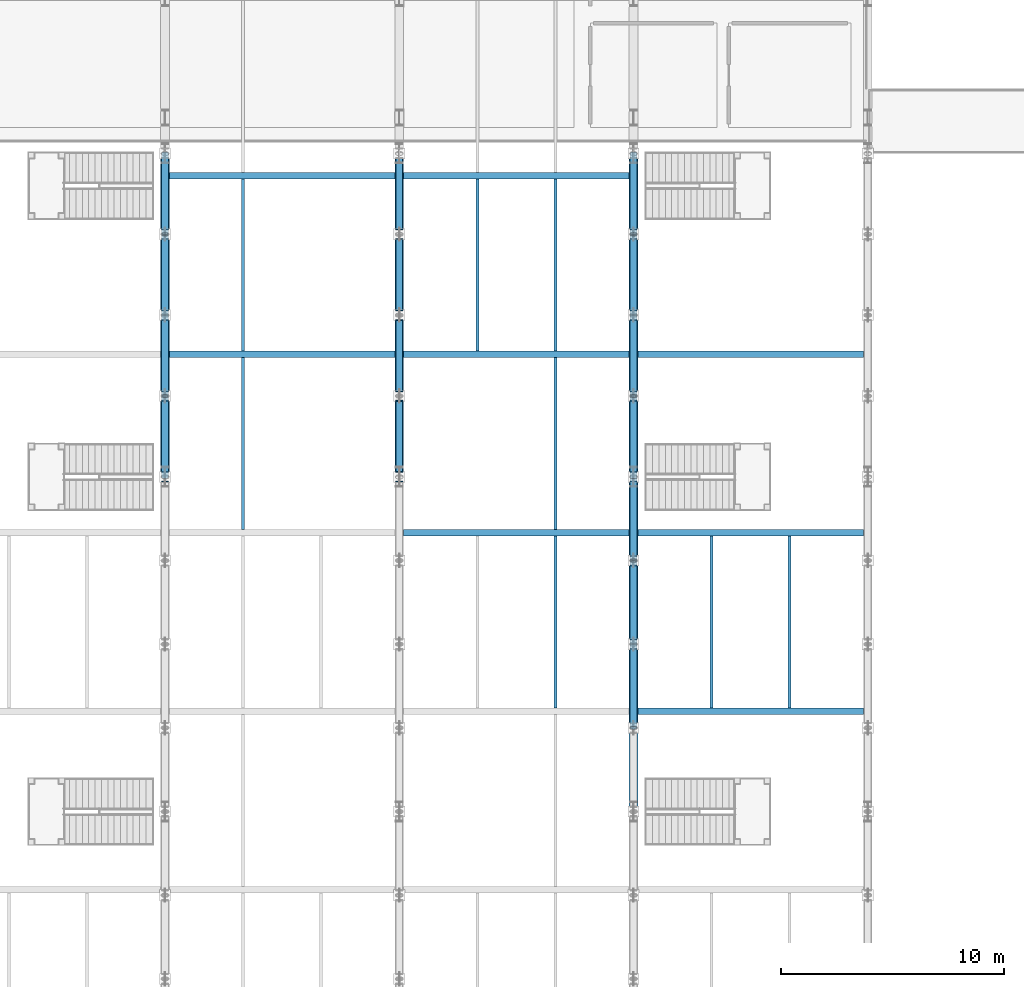
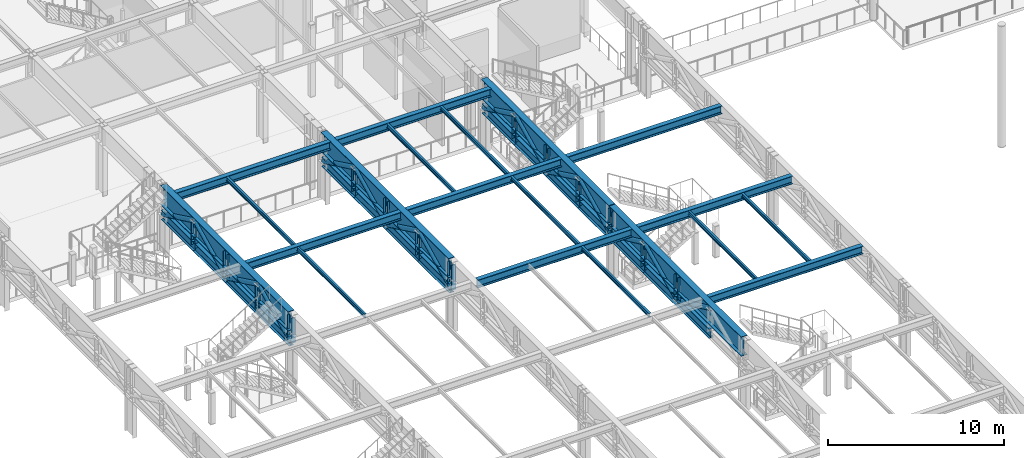
# One storey, part 39 of 143: 44 members, 20 beams.
"""IFC4 building model written with IfcOpenShell, lengths in metres."""

from ifc_helpers import new_model, si_unit, direction, frame, origin, origin_2d, place, context, subcontext, project, spatial, hollow_circle, i_section, extrude, material, material_profile, profile_set, type_object, element, save


model = new_model("IFC4")

# Units and contexts
model_context = context("Model", 3, precision=1e-05, world=origin(), true_north=direction((0.0, 1.0)))
body_context = subcontext(model_context, "Body", "Model", "MODEL_VIEW")
ifc_project = project(units=[si_unit("LENGTHUNIT", "METRE"), si_unit("AREAUNIT", "SQUARE_METRE"), si_unit("VOLUMEUNIT", "CUBIC_METRE"), si_unit("PLANEANGLEUNIT", "RADIAN"), si_unit("MASSUNIT", "GRAM", prefix="KILO")], contexts=[model_context])

# Site, building, storey
site_placement = place(None, origin())
site = spatial("IfcSite", under=ifc_project, at=site_placement, CompositionType="ELEMENT")
building_placement = place(site_placement, origin())
building = spatial("IfcBuilding", under=site, at=building_placement, Name="Marlcrest Central Station", CompositionType="ELEMENT")
storey_placement = place(building_placement, frame((0.0, 0.0, 4.800048828125)))
storey = spatial("IfcBuildingStorey", under=building, at=storey_placement, Name="L01", CompositionType="ELEMENT", Elevation=4.800048828125)

# Beams
ifc_material = material(Name="Steel S355", Category="steel")
ifc_material_profile_1 = material_profile(ifc_material, i_section(OverallWidth=0.300048828125, OverallDepth=0.550048828125, WebThickness=0.014892578125, FlangeThickness=0.029052734375, FilletRadius=0.027099609375, at=origin_2d()), Name="HEB 550")
ifc_profile_set_1 = profile_set([ifc_material_profile_1], Name="Steel S355")
beam_type_1 = type_object("IfcBeamType", Name="BM-11", PredefinedType="BEAM", material=ifc_profile_set_1)
for number, where, z_axis, x_axis, name in (
    (1, (118.695068359375, 70.5, 4.5400390625), (1.0, 0.0, 0.0), (0.0, 1.0, 0.0), "bm-BM-11-L01-01200"),
    (2, (108.195068359375, 78.5, 4.5400390625), (1.0, 0.0, 0.0), (0.0, 1.0, 0.0), "bm-BM-11-L01-01206"),
    (3, (118.695068359375, 78.5, 4.5400390625), (1.0, 0.0, 0.0), (0.0, 1.0, 0.0), "bm-BM-11-L01-01207"),
    (4, (97.695068359375, 86.5, 4.5400390625), (1.0, 0.0, 0.0), (0.0, 1.0, 0.0), "bm-BM-11-L01-01209"),
    (5, (108.195068359375, 86.5, 4.5400390625), (1.0, 0.0, 0.0), (0.0, 1.0, 0.0), "bm-BM-11-L01-01210"),
    (6, (118.695068359375, 86.5, 4.5400390625), (1.0, 0.0, 0.0), (0.0, 1.0, 0.0), "bm-BM-11-L01-01211"),
    (7, (97.695068359375, 94.5, 4.5400390625), (1.0, 0.0, 0.0), (0.0, 1.0, 0.0), "bm-BM-11-L01-01215"),
    (8, (108.195068359375, 94.5, 4.5400390625), (1.0, 0.0, 0.0), (0.0, 1.0, 0.0), "bm-BM-11-L01-01216"),
):
    element("IfcBeam", number, at=place(storey_placement, frame(where, z_axis=z_axis, x_axis=x_axis)), inside=storey, type_object=beam_type_1, Name=name, PredefinedType="BEAM", context=body_context, shape_type="SweptSolid", body=[
        extrude(i_section(OverallWidth=0.300048828125, OverallDepth=0.550048828125, WebThickness=0.014892578125, FlangeThickness=0.029052734375, FilletRadius=0.027099609375, at=origin_2d()), origin(), (0.0, 0.0, 1.0), 10.10986328125),
    ])
ifc_material_profile_2 = material_profile(ifc_material, i_section(OverallWidth=0.135009765625, OverallDepth=0.27001953125, WebThickness=0.006591796875, FlangeThickness=0.01025390625, FilletRadius=0.014892578125, at=origin_2d()), Name="IPE 270")
ifc_profile_set_2 = profile_set([ifc_material_profile_2], Name="Steel S355")
beam_type_2 = type_object("IfcBeamType", Name="JS-04", PredefinedType="JOIST", material=ifc_profile_set_2)
for number, where, z_axis, x_axis, name in (
    (9, (115.0, 70.64794921875, 4.679931640625), (0.0, 1.0, 0.0), (-1.0, 0.0, 0.0), "bm-JS-04-L01-01286"),
    (10, (122.0, 70.64794921875, 4.679931640625), (0.0, 1.0, 0.0), (-1.0, 0.0, 0.0), "bm-JS-04-L01-01287"),
    (11, (125.5, 70.64794921875, 4.679931640625), (0.0, 1.0, 0.0), (-1.0, 0.0, 0.0), "bm-JS-04-L01-01288"),
    (12, (101.0, 78.64794921875, 4.679931640625), (0.0, 1.0, 0.0), (-1.0, 0.0, 0.0), "bm-JS-04-L01-01291"),
    (13, (115.0, 78.64794921875, 4.679931640625), (0.0, 1.0, 0.0), (-1.0, 0.0, 0.0), "bm-JS-04-L01-01292"),
    (14, (101.0, 86.64794921875, 4.679931640625), (0.0, 1.0, 0.0), (-1.0, 0.0, 0.0), "bm-JS-04-L01-01295"),
    (15, (111.5, 86.64794921875, 4.679931640625), (0.0, 1.0, 0.0), (-1.0, 0.0, 0.0), "bm-JS-04-L01-01296"),
    (16, (115.0, 86.64794921875, 4.679931640625), (0.0, 1.0, 0.0), (-1.0, 0.0, 0.0), "bm-JS-04-L01-01297"),
):
    element("IfcBeam", number, at=place(storey_placement, frame(where, z_axis=z_axis, x_axis=x_axis)), inside=storey, type_object=beam_type_2, Name=name, PredefinedType="JOIST", context=body_context, shape_type="SweptSolid", body=[
        extrude(i_section(OverallWidth=0.135009765625, OverallDepth=0.27001953125, WebThickness=0.006591796875, FlangeThickness=0.01025390625, FilletRadius=0.014892578125, at=origin_2d()), origin(), (0.0, 0.0, 1.0), 7.7041015625),
    ])

# Members
ifc_material_profile_3 = material_profile(ifc_material, i_section(OverallWidth=0.300048828125, OverallDepth=0.64990234375, WebThickness=0.01611328125, FlangeThickness=0.031005859375, FilletRadius=0.027099609375, at=origin_2d()), Name="HEB 650")
ifc_profile_set_3 = profile_set([ifc_material_profile_3], Name="Steel S355")
member_type_1 = type_object("IfcMemberType", Name="TC-01", PredefinedType="CHORD", material=ifc_profile_set_3)
for number, where, z_axis, x_axis, name in (
    (17, (97.5, 81.0, 2.744873046875), (0.0, 1.0, 0.0), (-1.0, 0.0, 0.0), "mem-TC-01-L01-02204"),
    (18, (97.5, 84.625, 2.744873046875), (0.0, 1.0, 0.0), (-1.0, 0.0, 0.0), "mem-TC-01-L01-02207"),
    (19, (97.5, 88.25, 2.744873046875), (0.0, 1.0, 0.0), (-1.0, 0.0, 0.0), "mem-TC-01-L01-02210"),
    (20, (97.5, 91.875, 2.744873046875), (0.0, 1.0, 0.0), (-1.0, 0.0, 0.0), "mem-TC-01-L01-02213"),
    (21, (108.0, 81.0, 2.744873046875), (0.0, 1.0, 0.0), (-1.0, 0.0, 0.0), "mem-TC-01-L01-02253"),
    (22, (108.0, 84.625, 2.744873046875), (0.0, 1.0, 0.0), (-1.0, 0.0, 0.0), "mem-TC-01-L01-02256"),
    (23, (108.0, 88.25, 2.744873046875), (0.0, 1.0, 0.0), (-1.0, 0.0, 0.0), "mem-TC-01-L01-02259"),
    (24, (108.0, 91.875, 2.744873046875), (0.0, 1.0, 0.0), (-1.0, 0.0, 0.0), "mem-TC-01-L01-02262"),
):
    element("IfcMember", number, at=place(storey_placement, frame(where, z_axis=z_axis, x_axis=x_axis)), inside=storey, type_object=member_type_1, Name=name, PredefinedType="CHORD", context=body_context, shape_type="SweptSolid", body=[
        extrude(i_section(OverallWidth=0.300048828125, OverallDepth=0.64990234375, WebThickness=0.01611328125, FlangeThickness=0.031005859375, FilletRadius=0.027099609375, at=origin_2d()), origin(), (0.0, 0.0, 1.0), 3.625),
    ])
for number, where, z_axis, x_axis, name in (
    (25, (118.5, 69.75, 2.744873046875), (0.0, 1.0, 0.0), (-1.0, 0.0, 0.0), "mem-TC-01-L01-02293"),
    (26, (118.5, 73.5, 2.744873046875), (0.0, 1.0, 0.0), (-1.0, 0.0, 0.0), "mem-TC-01-L01-02296"),
    (27, (118.5, 77.25, 2.744873046875), (0.0, 1.0, 0.0), (-1.0, 0.0, 0.0), "mem-TC-01-L01-02299"),
):
    element("IfcMember", number, at=place(storey_placement, frame(where, z_axis=z_axis, x_axis=x_axis)), inside=storey, type_object=member_type_1, Name=name, PredefinedType="CHORD", context=body_context, shape_type="SweptSolid", body=[
        extrude(i_section(OverallWidth=0.300048828125, OverallDepth=0.64990234375, WebThickness=0.01611328125, FlangeThickness=0.031005859375, FilletRadius=0.027099609375, at=origin_2d()), origin(), (0.0, 0.0, 1.0), 3.75),
    ])
for number, where, z_axis, x_axis, name in (
    (28, (118.5, 81.0, 2.744873046875), (0.0, 1.0, 0.0), (-1.0, 0.0, 0.0), "mem-TC-01-L01-02302"),
    (29, (118.5, 84.625, 2.744873046875), (0.0, 1.0, 0.0), (-1.0, 0.0, 0.0), "mem-TC-01-L01-02305"),
    (30, (118.5, 88.25, 2.744873046875), (0.0, 1.0, 0.0), (-1.0, 0.0, 0.0), "mem-TC-01-L01-02308"),
    (31, (118.5, 91.875, 2.744873046875), (0.0, 1.0, 0.0), (-1.0, 0.0, 0.0), "mem-TC-01-L01-02311"),
):
    element("IfcMember", number, at=place(storey_placement, frame(where, z_axis=z_axis, x_axis=x_axis)), inside=storey, type_object=member_type_1, Name=name, PredefinedType="CHORD", context=body_context, shape_type="SweptSolid", body=[
        extrude(i_section(OverallWidth=0.300048828125, OverallDepth=0.64990234375, WebThickness=0.01611328125, FlangeThickness=0.031005859375, FilletRadius=0.027099609375, at=origin_2d()), origin(), (0.0, 0.0, 1.0), 3.625),
    ])
ifc_material_profile_4 = material_profile(ifc_material, hollow_circle(Radius=0.161865234375, WallThickness=0.01611328125, at=origin_2d()), Name="CHS 323.9x16")
ifc_profile_set_4 = profile_set([ifc_material_profile_4], Name="Steel S355")
member_type_2 = type_object("IfcMemberType", Name="TD-01", PredefinedType="BRACE", material=ifc_profile_set_4)
for number, where, z_axis, x_axis, name in (
    (32, (97.5, 81.0, 2.744873046875), (0.0, 0.900551636365, 0.434749065831), (-1.0, 0.0, 0.0), "mem-TD-01-L01-02206"),
    (33, (97.5, 84.625, 4.494873046875), (0.0, 0.900551636365, -0.434749065831), (-1.0, 0.0, 0.0), "mem-TD-01-L01-02209"),
    (34, (97.5, 88.25, 2.744873046875), (0.0, 0.900551636365, 0.434749065831), (-1.0, 0.0, 0.0), "mem-TD-01-L01-02212"),
    (35, (97.5, 91.875, 4.494873046875), (0.0, 0.900551636365, -0.434749065831), (-1.0, 0.0, 0.0), "mem-TD-01-L01-02215"),
    (36, (108.0, 81.0, 2.744873046875), (0.0, 0.900551636365, 0.434749065831), (-1.0, 0.0, 0.0), "mem-TD-01-L01-02255"),
    (37, (108.0, 84.625, 4.494873046875), (0.0, 0.900551636365, -0.434749065831), (-1.0, 0.0, 0.0), "mem-TD-01-L01-02258"),
    (38, (108.0, 88.25, 2.744873046875), (0.0, 0.900551636365, 0.434749065831), (-1.0, 0.0, 0.0), "mem-TD-01-L01-02261"),
    (39, (108.0, 91.875, 4.494873046875), (0.0, 0.900551636365, -0.434749065831), (-1.0, 0.0, 0.0), "mem-TD-01-L01-02264"),
):
    element("IfcMember", number, at=place(storey_placement, frame(where, z_axis=z_axis, x_axis=x_axis)), inside=storey, type_object=member_type_2, Name=name, PredefinedType="BRACE", context=body_context, shape_type="SweptSolid", body=[
        extrude(hollow_circle(Radius=0.161865234375, WallThickness=0.01611328125, at=origin_2d()), origin(), (0.0, 0.0, 1.0), 4.025390625),
    ])
for number, where, z_axis, x_axis, name in (
    (40, (118.5, 69.75, 4.494873046875), (0.0, 0.906183139995, -0.422885465331), (-1.0, 0.0, 0.0), "mem-TD-01-L01-02295"),
    (41, (118.5, 73.5, 2.744873046875), (0.0, 0.906183139995, 0.422885465331), (-1.0, 0.0, 0.0), "mem-TD-01-L01-02298"),
    (42, (118.5, 77.25, 4.494873046875), (0.0, 0.906183139995, -0.422885465331), (-1.0, 0.0, 0.0), "mem-TD-01-L01-02301"),
):
    element("IfcMember", number, at=place(storey_placement, frame(where, z_axis=z_axis, x_axis=x_axis)), inside=storey, type_object=member_type_2, Name=name, PredefinedType="BRACE", context=body_context, shape_type="SweptSolid", body=[
        extrude(hollow_circle(Radius=0.161865234375, WallThickness=0.01611328125, at=origin_2d()), origin(), (0.0, 0.0, 1.0), 4.13818359375),
    ])
for number, where, z_axis, x_axis, name in (
    (43, (118.5, 81.0, 2.744873046875), (0.0, 0.900551636365, 0.434749065831), (-1.0, 0.0, 0.0), "mem-TD-01-L01-02304"),
    (44, (118.5, 84.625, 4.494873046875), (0.0, 0.900551636365, -0.434749065831), (-1.0, 0.0, 0.0), "mem-TD-01-L01-02307"),
    (45, (118.5, 88.25, 2.744873046875), (0.0, 0.900551636365, 0.434749065831), (-1.0, 0.0, 0.0), "mem-TD-01-L01-02310"),
    (46, (118.5, 91.875, 4.494873046875), (0.0, 0.900551636365, -0.434749065831), (-1.0, 0.0, 0.0), "mem-TD-01-L01-02313"),
):
    element("IfcMember", number, at=place(storey_placement, frame(where, z_axis=z_axis, x_axis=x_axis)), inside=storey, type_object=member_type_2, Name=name, PredefinedType="BRACE", context=body_context, shape_type="SweptSolid", body=[
        extrude(hollow_circle(Radius=0.161865234375, WallThickness=0.01611328125, at=origin_2d()), origin(), (0.0, 0.0, 1.0), 4.025390625),
    ])

# Beams
ifc_material_profile_5 = material_profile(ifc_material, i_section(OverallWidth=0.39990234375, OverallDepth=1.35009765625, WebThickness=0.02197265625, FlangeThickness=0.034912109375, at=origin_2d()), Name="PG 1350x400")
ifc_profile_set_5 = profile_set([ifc_material_profile_5], Name="Steel S355")
beam_type_3 = type_object("IfcBeamType", Name="TG-01", PredefinedType="USERDEFINED", material=ifc_profile_set_5)
for number, where, z_axis, x_axis, name in (
    (47, (97.5, 81.02001953125, 4.139892578125), (0.0, 1.0, 0.0), (-1.0, 0.0, 0.0), "bm-TG-01-L01-01150"),
    (48, (108.0, 81.02001953125, 4.139892578125), (0.0, 1.0, 0.0), (-1.0, 0.0, 0.0), "bm-TG-01-L01-01154"),
):
    element("IfcBeam", number, at=place(storey_placement, frame(where, z_axis=z_axis, x_axis=x_axis)), inside=storey, type_object=beam_type_3, Name=name, ObjectType="TRANSFER_GIRDER", PredefinedType="USERDEFINED", context=body_context, shape_type="SweptSolid", body=[
        extrude(i_section(OverallWidth=0.39990234375, OverallDepth=1.35009765625, WebThickness=0.02197265625, FlangeThickness=0.034912109375, at=origin_2d()), origin(), (0.0, 0.0, 1.0), 14.4599609375),
    ])
beam_1_placement = place(storey_placement, frame((118.5, 66.02001953125, 4.139892578125), z_axis=(0.0, 1.0, 0.0), x_axis=(-1.0, 0.0, 0.0)))
element("IfcBeam", 49, at=beam_1_placement, inside=storey, type_object=beam_type_3, Name="bm-TG-01-L01-01157", ObjectType="TRANSFER_GIRDER", PredefinedType="USERDEFINED", context=body_context, shape_type="SweptSolid", body=[
    extrude(i_section(OverallWidth=0.39990234375, OverallDepth=1.35009765625, WebThickness=0.02197265625, FlangeThickness=0.034912109375, at=origin_2d()), origin(), (0.0, 0.0, 1.0), 14.9599609375),
])
beam_2_placement = place(storey_placement, frame((118.5, 81.02001953125, 4.139892578125), z_axis=(0.0, 1.0, 0.0), x_axis=(-1.0, 0.0, 0.0)))
element("IfcBeam", 50, at=beam_2_placement, inside=storey, type_object=beam_type_3, Name="bm-TG-01-L01-01158", ObjectType="TRANSFER_GIRDER", PredefinedType="USERDEFINED", context=body_context, shape_type="SweptSolid", body=[
    extrude(i_section(OverallWidth=0.39990234375, OverallDepth=1.35009765625, WebThickness=0.02197265625, FlangeThickness=0.034912109375, at=origin_2d()), origin(), (0.0, 0.0, 1.0), 14.4599609375),
])

# Members
ifc_material_profile_6 = material_profile(ifc_material, i_section(OverallWidth=0.300048828125, OverallDepth=0.449951171875, WebThickness=0.013916015625, FlangeThickness=0.02587890625, FilletRadius=0.027099609375, at=origin_2d()), Name="HEB 450")
ifc_profile_set_6 = profile_set([ifc_material_profile_6], Name="Steel S355")
member_type_3 = type_object("IfcMemberType", Name="TP-01", PredefinedType="POST", material=ifc_profile_set_6)
for number, where, z_axis, x_axis, name in (
    (51, (97.5, 81.0, 2.744873046875), (0.0, 0.0, 1.0), (1.0, 0.0, 0.0), "mem-TP-01-L01-02205"),
    (52, (97.5, 84.625, 2.744873046875), (0.0, 0.0, 1.0), (1.0, 0.0, 0.0), "mem-TP-01-L01-02208"),
    (53, (97.5, 88.25, 2.744873046875), (0.0, 0.0, 1.0), (1.0, 0.0, 0.0), "mem-TP-01-L01-02211"),
    (54, (97.5, 91.875, 2.744873046875), (0.0, 0.0, 1.0), (1.0, 0.0, 0.0), "mem-TP-01-L01-02214"),
    (55, (108.0, 81.0, 2.744873046875), (0.0, 0.0, 1.0), (1.0, 0.0, 0.0), "mem-TP-01-L01-02254"),
    (56, (108.0, 84.625, 2.744873046875), (0.0, 0.0, 1.0), (1.0, 0.0, 0.0), "mem-TP-01-L01-02257"),
    (57, (108.0, 88.25, 2.744873046875), (0.0, 0.0, 1.0), (1.0, 0.0, 0.0), "mem-TP-01-L01-02260"),
    (58, (108.0, 91.875, 2.744873046875), (0.0, 0.0, 1.0), (1.0, 0.0, 0.0), "mem-TP-01-L01-02263"),
    (59, (118.5, 73.5, 2.744873046875), (0.0, 0.0, 1.0), (1.0, 0.0, 0.0), "mem-TP-01-L01-02297"),
    (60, (118.5, 77.25, 2.744873046875), (0.0, 0.0, 1.0), (1.0, 0.0, 0.0), "mem-TP-01-L01-02300"),
    (61, (118.5, 81.0, 2.744873046875), (0.0, 0.0, 1.0), (1.0, 0.0, 0.0), "mem-TP-01-L01-02303"),
    (62, (118.5, 84.625, 2.744873046875), (0.0, 0.0, 1.0), (1.0, 0.0, 0.0), "mem-TP-01-L01-02306"),
    (63, (118.5, 88.25, 2.744873046875), (0.0, 0.0, 1.0), (1.0, 0.0, 0.0), "mem-TP-01-L01-02309"),
    (64, (118.5, 91.875, 2.744873046875), (0.0, 0.0, 1.0), (1.0, 0.0, 0.0), "mem-TP-01-L01-02312"),
):
    element("IfcMember", number, at=place(storey_placement, frame(where, z_axis=z_axis, x_axis=x_axis)), inside=storey, type_object=member_type_3, Name=name, PredefinedType="POST", context=body_context, shape_type="SweptSolid", body=[
        extrude(i_section(OverallWidth=0.300048828125, OverallDepth=0.449951171875, WebThickness=0.013916015625, FlangeThickness=0.02587890625, FilletRadius=0.027099609375, at=origin_2d()), origin(), (0.0, 0.0, 1.0), 1.75),
    ])

save(model, "model.ifc")
